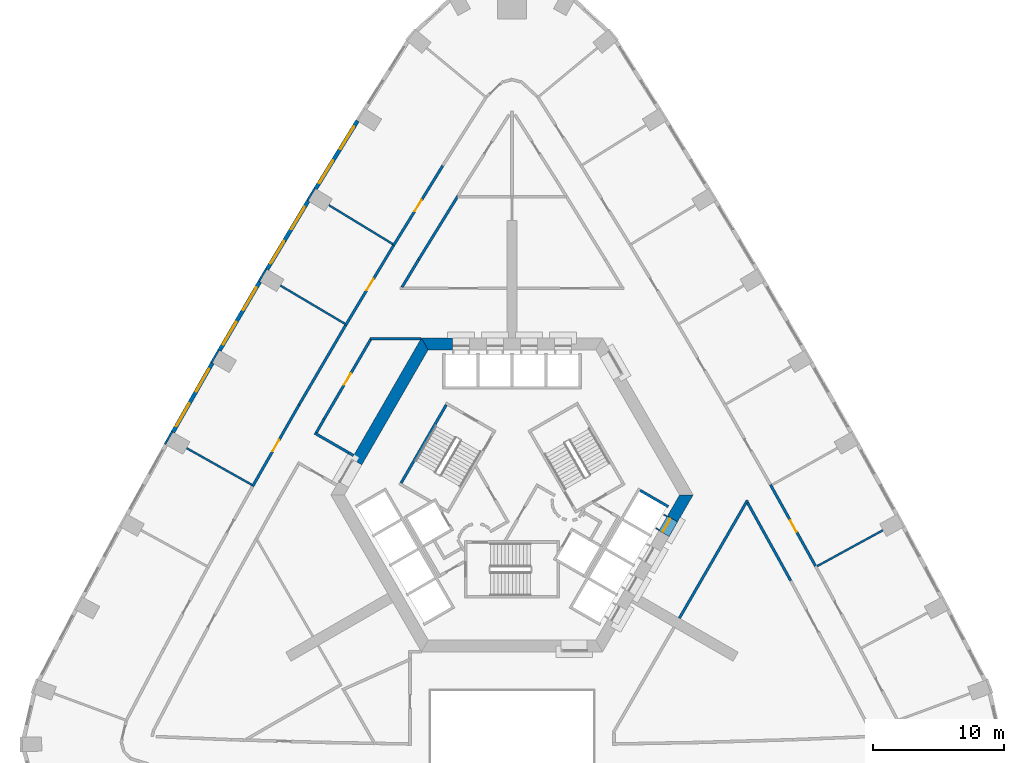
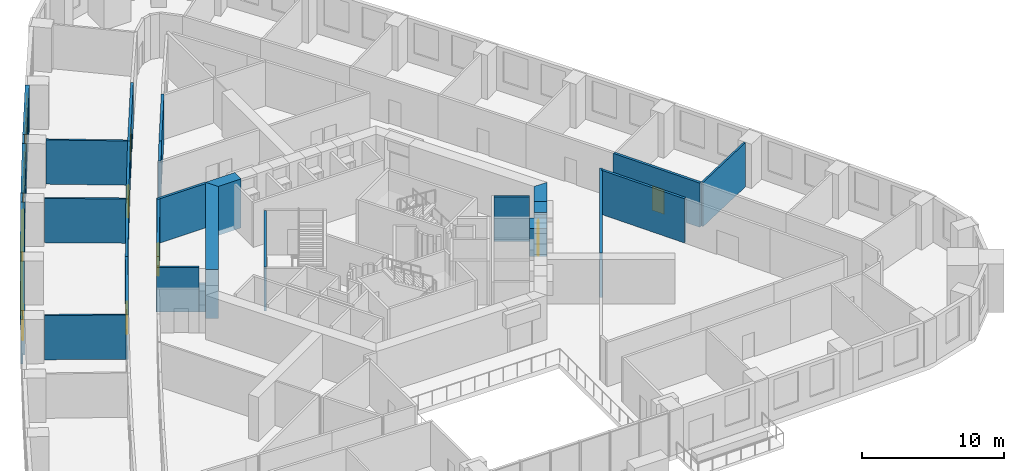
# One storey, part 8 of 13: 33 walls, 8 windows, 6 doors, 14 openings.
"""IFC4 building model written with IfcOpenShell, lengths in metres."""

from ifc_helpers import new_model, si_unit, direction, frame, frame_2d, origin, place, context, subcontext, project, spatial, polyline, rectangle, outline, extrude, material, layer, layer_set, type_object, element, fill, save


model = new_model("IFC4")

# Units and contexts
model_context = context("Model", 3, precision=1e-05, world=origin(), true_north=direction((0.0, 1.0)))
body_context = subcontext(model_context, "Body", "Model", "MODEL_VIEW")
ifc_project = project(units=[si_unit("LENGTHUNIT", "METRE"), si_unit("AREAUNIT", "SQUARE_METRE"), si_unit("VOLUMEUNIT", "CUBIC_METRE"), si_unit("PLANEANGLEUNIT", "RADIAN"), si_unit("MASSUNIT", "GRAM", prefix="KILO")], contexts=[model_context])

# Site, building, storey
site_placement = place(None, origin())
site = spatial("IfcSite", under=ifc_project, at=site_placement, CompositionType="ELEMENT")
building_placement = place(site_placement, origin())
building = spatial("IfcBuilding", under=site, at=building_placement, Name="Entoto Arch Interchange Tower", CompositionType="ELEMENT")
storey_placement = place(building_placement, frame((0.0, 0.0, 90.800048828125)))
storey = spatial("IfcBuildingStorey", under=building, at=storey_placement, Name="L19", CompositionType="ELEMENT", Elevation=90.800048828125)

# Walls
ifc_material_1 = material(Name="Concrete C60/75", Category="concrete")
ifc_layer_1 = layer(ifc_material_1, 0.89990234375)
ifc_layer_set_1 = layer_set([ifc_layer_1], Name="Concrete C60/75")
wall_type_1 = type_object("IfcWallType", Name="Core wall 900 C60/75", PredefinedType="SHEAR", material=ifc_layer_set_1)
wall_1_placement = place(storey_placement, frame((0.0, 0.0, -0.400146484375)))
element("IfcWall", 1, at=wall_1_placement, inside=storey, type_object=wall_type_1, Name="Core wall N L19", PredefinedType="SHEAR", context=body_context, shape_type="SweptSolid", body=[
    extrude(outline(polyline([(-4.550048828125, 13.60009765625), (-4.550048828125, 14.5), (-6.927978515625, 14.5), (-6.408935546875, 13.60009765625), (-4.550048828125, 13.60009765625)])), origin(), (0.0, 0.0, 1.0), 4.2001953125),
])
wall_2_placement = place(storey_placement, frame((0.0, 0.0, -0.400146484375)))
element("IfcWall", 2, at=wall_2_placement, inside=storey, type_object=wall_type_1, Name="Core wall NW L19", PredefinedType="SHEAR", context=body_context, shape_type="SweptSolid", body=[
    extrude(outline(polyline([(-12.26708984375, 5.251953125), (-11.488037109375, 4.802001953125), (-6.408935546875, 13.60009765625), (-6.927978515625, 14.5), (-12.26708984375, 5.251953125)])), origin(), (0.0, 0.0, 1.0), 4.2001953125),
])
wall_3_placement = place(storey_placement, frame((0.0, 0.0, -0.400146484375)))
element("IfcWall", 3, at=wall_3_placement, inside=storey, type_object=wall_type_1, Name="Core wall SE L19", PredefinedType="SHEAR", context=body_context, shape_type="SweptSolid", body=[
    extrude(outline(polyline([(11.887939453125, 0.889892578125), (12.6669921875, 0.43994140625), (13.85595703125, 2.5), (12.81689453125, 2.5), (11.887939453125, 0.889892578125)])), origin(), (0.0, 0.0, 1.0), 4.2001953125),
])
wall_4_placement = place(storey_placement, frame((0.0, 0.0, 3.599853515625)))
element("IfcWall", 4, at=wall_4_placement, inside=storey, type_object=wall_type_1, Name="Core wall lintel SE L19", PredefinedType="SHEAR", context=body_context, shape_type="SweptSolid", body=[
    extrude(outline(polyline([(12.6669921875, 0.43994140625), (11.887939453125, 0.889892578125), (11.238037109375, -0.236083984375), (12.01708984375, -0.68603515625), (12.6669921875, 0.43994140625)])), origin(), (0.0, 0.0, 1.0), 0.2001953125),
])

# Wall, opening, door
ifc_material_2 = material(Name="Concrete C40/50", Category="concrete")
ifc_layer_2 = layer(ifc_material_2, 1.199951171875)
ifc_layer_set_2 = layer_set([ifc_layer_2], Name="Concrete C40/50")
wall_type_2 = type_object("IfcWallType", Name="LIFT LANDING INFILL WALL", PredefinedType="STANDARD", material=ifc_layer_set_2)
wall_5_placement = place(storey_placement, frame((11.498046875, -0.385009765625, 0.0), z_axis=(0.0, 0.0, 1.0), x_axis=(0.500221244143, 0.865897630733, 0.0)))
wall_5 = element("IfcWall", 5, at=wall_5_placement, inside=storey, type_object=wall_type_2, Name="Lift landing infill wall LR8 L19", PredefinedType="STANDARD", context=body_context, shape_type="SweptSolid", body=[
    extrude(rectangle(XDim=1.29931640625, YDim=1.199951171875, at=frame_2d((0.649658203125, 0.0))), origin(), (0.0, 0.0, 1.0), 2.39990234375),
])
opening_1_placement = place(wall_5_placement, frame((0.10009765625, 0.0, 0.0)))
opening_1 = element("IfcOpeningElement", 6, at=opening_1_placement, cuts=wall_5, Name="Opening LD-LR8-L19", PredefinedType="OPENING", context=body_context, shape_type="SweptSolid", body=[
    extrude(rectangle(XDim=1.10009765625, YDim=2.300048828125, at=frame_2d((0.550048828125, 1.14990234375))), frame((0.0, 0.60986328125, 0.0), z_axis=(0.0, -1.0, 0.0), x_axis=(1.0, 0.0, 0.0)), (0.0, 0.0, 1.0), 1.219970703125),
])
ifc_material_3 = material(Name="Stainless steel 1.4301 panels", Category="steel")
door_type_1 = type_object("IfcDoorType", Name="LIFT LANDING DOOR LD2 1100x2300", OperationType="SLIDING_TO_LEFT", PredefinedType="DOOR", material=ifc_material_3)
door_1_placement = place(opening_1_placement, origin())
door_1 = element("IfcDoor", 7, at=door_1_placement, inside=storey, type_object=door_type_1, Name="Lift landing door LR8 L19", OperationType="SLIDING_TO_LEFT", OverallHeight=2.300048828125, OverallWidth=1.10009765625, PredefinedType="DOOR", context=body_context, shape_type="SweptSolid", body=[
    extrude(rectangle(XDim=1.10009765625, YDim=2.300048828125, at=frame_2d((0.550048828125, 1.14990234375))), frame((0.0, 0.02490234375, 0.0), z_axis=(0.0, -1.0, 0.0), x_axis=(1.0, 0.0, 0.0)), (0.0, 0.0, 1.0), 0.050048828125),
])
fill(opening_1, door_1)

# Walls
ifc_layer_3 = layer(ifc_material_2, 0.199951171875)
ifc_layer_set_3 = layer_set([ifc_layer_3], Name="Concrete C40/50")
wall_type_3 = type_object("IfcWallType", Name="LIFT SHAFT WALL 200", PredefinedType="STANDARD", material=ifc_layer_set_3)
wall_6_placement = place(storey_placement, frame((9.7880859375, 2.85302734375, 0.0), z_axis=(0.0, 0.0, 1.0), x_axis=(0.865998541277, -0.500046524342, 0.0)))
element("IfcWall", 8, at=wall_6_placement, inside=storey, type_object=wall_type_3, Name="Shaft wall SE3 cross 5", PredefinedType="STANDARD", context=body_context, shape_type="SweptSolid", body=[
    extrude(rectangle(XDim=2.499755859375, YDim=0.199951171875, at=frame_2d((1.25, 0.0))), origin(), (0.0, 0.0, 1.0), 3.800048828125),
])
ifc_material_4 = material(Name="Gypsum board partition on steel studs", Category="steel")
ifc_layer_4 = layer(ifc_material_4, 0.14990234375)
ifc_layer_set_4 = layer_set([ifc_layer_4], Name="Gypsum board partition on steel studs")
wall_type_4 = type_object("IfcWallType", Name="PARTITION 150", PredefinedType="PARTITIONING", material=ifc_layer_set_4)
wall_7_placement = place(storey_placement, frame((23.3359375, -2.949951171875, 0.0), z_axis=(0.0, 0.0, 1.0), x_axis=(0.877455496162, 0.479658057637, 0.0)))
element("IfcWall", 9, at=wall_7_placement, inside=storey, type_object=wall_type_4, Name="wall:L19:p116", PredefinedType="PARTITIONING", context=body_context, shape_type="SweptSolid", body=[
    extrude(rectangle(XDim=5.729248046875, YDim=0.14990234375, at=frame_2d((2.86474609375, 0.0))), origin(), (0.0, 0.0, 1.0), 3.800048828125),
])
wall_8_placement = place(storey_placement, frame((-9.113037109375, 21.68408203125, 0.0), z_axis=(0.0, 0.0, 1.0), x_axis=(-0.854075097122, 0.520149717367, 0.0)))
element("IfcWall", 10, at=wall_8_placement, inside=storey, type_object=wall_type_4, Name="wall:L19:p124", PredefinedType="PARTITIONING", context=body_context, shape_type="SweptSolid", body=[
    extrude(rectangle(XDim=5.72900390625, YDim=0.14990234375, at=frame_2d((2.864501953125, 0.0))), origin(), (0.0, 0.0, 1.0), 3.800048828125),
])
wall_9_placement = place(storey_placement, frame((-12.77587890625, 15.589111328125, 0.0), z_axis=(0.0, 0.0, 1.0), x_axis=(-0.860225086153, 0.509914503768, 0.0)))
element("IfcWall", 11, at=wall_9_placement, inside=storey, type_object=wall_type_4, Name="wall:L19:p125", PredefinedType="PARTITIONING", context=body_context, shape_type="SweptSolid", body=[
    extrude(rectangle(XDim=5.730224609375, YDim=0.14990234375, at=frame_2d((2.865234375, 0.0))), origin(), (0.0, 0.0, 1.0), 3.800048828125),
])
wall_10_placement = place(storey_placement, frame((-19.887939453125, 3.27001953125, 0.0), z_axis=(0.0, 0.0, 1.0), x_axis=(-0.871789386467, 0.489880868828, 0.0)))
element("IfcWall", 12, at=wall_10_placement, inside=storey, type_object=wall_type_4, Name="wall:L19:p126", PredefinedType="PARTITIONING", context=body_context, shape_type="SweptSolid", body=[
    extrude(rectangle(XDim=5.729736328125, YDim=0.14990234375, at=frame_2d((2.86474609375, 0.0))), origin(), (0.0, 0.0, 1.0), 3.800048828125),
])
ifc_layer_5 = layer(ifc_material_4, 0.199951171875)
ifc_layer_set_5 = layer_set([ifc_layer_5], Name="Gypsum board partition on steel studs")
wall_type_5 = type_object("IfcWallType", Name="PARTITION 200", PredefinedType="PARTITIONING", material=ifc_layer_set_5)
wall_11_placement = place(storey_placement, frame((-4.1259765625, 25.385009765625, 0.0), z_axis=(0.0, 0.0, 1.0), x_axis=(-0.525162244663, -0.851002125016, 0.0)))
element("IfcWall", 13, at=wall_11_placement, inside=storey, type_object=wall_type_5, Name="wall:L19:p003", PredefinedType="PARTITIONING", context=body_context, shape_type="SweptSolid", body=[
    extrude(rectangle(XDim=5.75439453125, YDim=0.199951171875, at=frame_2d((2.877197265625, 0.0))), origin(), (0.0, 0.0, 1.0), 3.800048828125),
])
wall_12_placement = place(storey_placement, frame((-7.14794921875, 20.488037109375, 0.0), z_axis=(0.0, 0.0, 1.0), x_axis=(-0.515008089027, -0.857185317325, 0.0)))
element("IfcWall", 14, at=wall_12_placement, inside=storey, type_object=wall_type_5, Name="wall:L19:p004", PredefinedType="PARTITIONING", context=body_context, shape_type="SweptSolid", body=[
    extrude(rectangle(XDim=2.452392578125, YDim=0.199951171875, at=frame_2d((1.22607421875, 0.0))), origin(), (0.0, 0.0, 1.0), 3.800048828125),
])

# Wall, opening, door
wall_13_placement = place(storey_placement, frame((-10.797119140625, 14.4150390625, 0.0), z_axis=(0.0, 0.0, 1.0), x_axis=(-0.505008297342, -0.863114488128, 0.0)))
wall_13 = element("IfcWall", 15, at=wall_13_placement, inside=storey, type_object=wall_type_5, Name="wall:L19:p005", PredefinedType="PARTITIONING", context=body_context, shape_type="SweptSolid", body=[
    extrude(rectangle(XDim=7.084716796875, YDim=0.199951171875, at=frame_2d((3.54248046875, 0.0))), origin(), (0.0, 0.0, 1.0), 3.800048828125),
])
opening_2_placement = place(wall_13_placement, frame((3.04296875, 0.0, 0.0)))
opening_2 = element("IfcOpeningElement", 16, at=opening_2_placement, cuts=wall_13, Name="Opening L19-D36", PredefinedType="OPENING", context=body_context, shape_type="SweptSolid", body=[
    extrude(rectangle(XDim=1.0, YDim=2.10009765625, at=frame_2d((0.5, 1.050048828125))), frame((0.0, 0.10986328125, 0.0), z_axis=(0.0, -1.0, 0.0), x_axis=(1.0, 0.0, 0.0)), (0.0, 0.0, 1.0), 0.219970703125),
])
ifc_material_5 = material(Name="Timber door leaf in Steel S235 frame", Category="steel")
door_type_2 = type_object("IfcDoorType", Name="DOOR DS-10 1000x2100", OperationType="SINGLE_SWING_LEFT", PredefinedType="DOOR", material=ifc_material_5)
door_2_placement = place(opening_2_placement, origin())
door_2 = element("IfcDoor", 17, at=door_2_placement, inside=storey, type_object=door_type_2, Name="door:L19:36", OperationType="SINGLE_SWING_LEFT", OverallHeight=2.10009765625, OverallWidth=1.0, PredefinedType="DOOR", context=body_context, shape_type="SweptSolid", body=[
    extrude(rectangle(XDim=1.0, YDim=2.10009765625, at=frame_2d((0.5, 1.050048828125))), frame((0.0, 0.02490234375, 0.0), z_axis=(0.0, -1.0, 0.0), x_axis=(1.0, 0.0, 0.0)), (0.0, 0.0, 1.0), 0.050048828125),
])
fill(opening_2, door_2)

# Walls
wall_14_placement = place(storey_placement, frame((-14.375, 8.300048828125, 0.0), z_axis=(0.0, 0.0, 1.0), x_axis=(-0.495074026382, -0.868850797549, 0.0)))
element("IfcWall", 18, at=wall_14_placement, inside=storey, type_object=wall_type_5, Name="wall:L19:p006", PredefinedType="PARTITIONING", context=body_context, shape_type="SweptSolid", body=[
    extrude(rectangle(XDim=1.185546875, YDim=0.199951171875, at=frame_2d((0.5927734375, 0.0))), origin(), (0.0, 0.0, 1.0), 3.800048828125),
])
wall_15_placement = place(storey_placement, frame((-15.097900390625, 7.23291015625, 0.0), z_axis=(0.0, 0.0, 1.0), x_axis=(0.866101363304, -0.499868411168, 0.0)))
element("IfcWall", 19, at=wall_15_placement, inside=storey, type_object=wall_type_5, Name="wall:L19:p007", PredefinedType="PARTITIONING", context=body_context, shape_type="SweptSolid", body=[
    extrude(rectangle(XDim=2.992431640625, YDim=0.199951171875, at=frame_2d((1.49609375, 0.0))), origin(), (0.0, 0.0, 1.0), 3.800048828125),
])
wall_16_placement = place(storey_placement, frame((21.31689453125, -4.052978515625, 0.0), z_axis=(0.0, 0.0, 1.0), x_axis=(-0.484816829319, 0.874615711046, 0.0)))
element("IfcWall", 20, at=wall_16_placement, inside=storey, type_object=wall_type_5, Name="wall:L19:p018", PredefinedType="PARTITIONING", context=body_context, shape_type="SweptSolid", body=[
    extrude(rectangle(XDim=6.826904296875, YDim=0.199951171875, at=frame_2d((3.41357421875, 0.0))), origin(), (0.0, 0.0, 1.0), 3.800048828125),
])

# Wall, opening, door
wall_17_placement = place(storey_placement, frame((19.763916015625, 3.285888671875, 0.0), z_axis=(0.0, 0.0, 1.0), x_axis=(0.484858403734, -0.874592664232, 0.0)))
wall_17 = element("IfcWall", 21, at=wall_17_placement, inside=storey, type_object=wall_type_5, Name="wall:L19:p041", PredefinedType="PARTITIONING", context=body_context, shape_type="SweptSolid", body=[
    extrude(rectangle(XDim=7.109375, YDim=0.199951171875, at=frame_2d((3.5546875, 0.0))), origin(), (0.0, 0.0, 1.0), 3.800048828125),
])
opening_3_placement = place(wall_17_placement, frame((3.1298828125, 0.0, 0.0)))
opening_3 = element("IfcOpeningElement", 22, at=opening_3_placement, cuts=wall_17, Name="Opening L19-D07", PredefinedType="OPENING", context=body_context, shape_type="SweptSolid", body=[
    extrude(rectangle(XDim=1.0, YDim=2.10009765625, at=frame_2d((0.5, 1.050048828125))), frame((0.0, 0.10986328125, 0.0), z_axis=(0.0, -1.0, 0.0), x_axis=(1.0, 0.0, 0.0)), (0.0, 0.0, 1.0), 0.219970703125),
])
door_3_placement = place(opening_3_placement, origin())
door_3 = element("IfcDoor", 23, at=door_3_placement, inside=storey, type_object=door_type_2, Name="door:L19:07", OperationType="SINGLE_SWING_LEFT", OverallHeight=2.10009765625, OverallWidth=1.0, PredefinedType="DOOR", context=body_context, shape_type="SweptSolid", body=[
    extrude(rectangle(XDim=1.0, YDim=2.10009765625, at=frame_2d((0.5, 1.050048828125))), frame((0.0, 0.02490234375, 0.0), z_axis=(0.0, -1.0, 0.0), x_axis=(1.0, 0.0, 0.0)), (0.0, 0.0, 1.0), 0.050048828125),
])
fill(opening_3, door_3)

wall_18_placement = place(storey_placement, frame((-9.06689453125, 21.568115234375, 0.0), z_axis=(0.0, 0.0, 1.0), x_axis=(0.525131931126, 0.851020831068, 0.0)))
wall_18 = element("IfcWall", 24, at=wall_18_placement, inside=storey, type_object=wall_type_5, Name="wall:L19:p051", PredefinedType="PARTITIONING", context=body_context, shape_type="SweptSolid", body=[
    extrude(rectangle(XDim=7.1865234375, YDim=0.199951171875, at=frame_2d((3.59326171875, 0.0))), origin(), (0.0, 0.0, 1.0), 3.800048828125),
])
opening_4_placement = place(wall_18_placement, frame((3.093017578125, 0.0, 0.0)))
opening_4 = element("IfcOpeningElement", 25, at=opening_4_placement, cuts=wall_18, Name="Opening L19-D14", PredefinedType="OPENING", context=body_context, shape_type="SweptSolid", body=[
    extrude(rectangle(XDim=1.0, YDim=2.10009765625, at=frame_2d((0.5, 1.050048828125))), frame((0.0, 0.10986328125, 0.0), z_axis=(0.0, -1.0, 0.0), x_axis=(1.0, 0.0, 0.0)), (0.0, 0.0, 1.0), 0.219970703125),
])
door_4_placement = place(opening_4_placement, origin())
door_4 = element("IfcDoor", 26, at=door_4_placement, inside=storey, type_object=door_type_2, Name="door:L19:14", OperationType="SINGLE_SWING_RIGHT", OverallHeight=2.10009765625, OverallWidth=1.0, PredefinedType="DOOR", context=body_context, shape_type="SweptSolid", body=[
    extrude(rectangle(XDim=1.0, YDim=2.10009765625, at=frame_2d((0.5, 1.050048828125))), frame((0.0, 0.02490234375, 0.0), z_axis=(0.0, -1.0, 0.0), x_axis=(1.0, 0.0, 0.0)), (0.0, 0.0, 1.0), 0.050048828125),
])
fill(opening_4, door_4)

wall_19_placement = place(storey_placement, frame((-12.72802734375, 15.472900390625, 0.0), z_axis=(0.0, 0.0, 1.0), x_axis=(0.515010673306, 0.857183764651, 0.0)))
wall_19 = element("IfcWall", 27, at=wall_19_placement, inside=storey, type_object=wall_type_5, Name="wall:L19:p053", PredefinedType="PARTITIONING", context=body_context, shape_type="SweptSolid", body=[
    extrude(rectangle(XDim=7.11083984375, YDim=0.199951171875, at=frame_2d((3.555419921875, 0.0))), origin(), (0.0, 0.0, 1.0), 3.800048828125),
])
opening_5_placement = place(wall_19_placement, frame((3.1298828125, 0.0, 0.0)))
opening_5 = element("IfcOpeningElement", 28, at=opening_5_placement, cuts=wall_19, Name="Opening L19-D15", PredefinedType="OPENING", context=body_context, shape_type="SweptSolid", body=[
    extrude(rectangle(XDim=1.0, YDim=2.10009765625, at=frame_2d((0.5, 1.050048828125))), frame((0.0, 0.10986328125, 0.0), z_axis=(0.0, -1.0, 0.0), x_axis=(1.0, 0.0, 0.0)), (0.0, 0.0, 1.0), 0.219970703125),
])
door_5_placement = place(opening_5_placement, origin())
door_5 = element("IfcDoor", 29, at=door_5_placement, inside=storey, type_object=door_type_2, Name="door:L19:15", OperationType="SINGLE_SWING_LEFT", OverallHeight=2.10009765625, OverallWidth=1.0, PredefinedType="DOOR", context=body_context, shape_type="SweptSolid", body=[
    extrude(rectangle(XDim=1.0, YDim=2.10009765625, at=frame_2d((0.5, 1.050048828125))), frame((0.0, 0.02490234375, 0.0), z_axis=(0.0, -1.0, 0.0), x_axis=(1.0, 0.0, 0.0)), (0.0, 0.0, 1.0), 0.050048828125),
])
fill(opening_5, door_5)

wall_20_placement = place(storey_placement, frame((-19.837890625, 3.156005859375, 0.0), z_axis=(0.0, 0.0, 1.0), x_axis=(0.494978648769, 0.868905137091, 0.0)))
wall_20 = element("IfcWall", 30, at=wall_20_placement, inside=storey, type_object=wall_type_5, Name="wall:L19:p054", PredefinedType="PARTITIONING", context=body_context, shape_type="SweptSolid", body=[
    extrude(rectangle(XDim=7.18603515625, YDim=0.199951171875, at=frame_2d((3.593017578125, 0.0))), origin(), (0.0, 0.0, 1.0), 3.800048828125),
])
opening_6_placement = place(wall_20_placement, frame((3.093017578125, 0.0, 0.0)))
opening_6 = element("IfcOpeningElement", 31, at=opening_6_placement, cuts=wall_20, Name="Opening L19-D16", PredefinedType="OPENING", context=body_context, shape_type="SweptSolid", body=[
    extrude(rectangle(XDim=1.0, YDim=2.10009765625, at=frame_2d((0.5, 1.050048828125))), frame((0.0, 0.10986328125, 0.0), z_axis=(0.0, -1.0, 0.0), x_axis=(1.0, 0.0, 0.0)), (0.0, 0.0, 1.0), 0.219970703125),
])
door_6_placement = place(opening_6_placement, origin())
door_6 = element("IfcDoor", 32, at=door_6_placement, inside=storey, type_object=door_type_2, Name="door:L19:16", OperationType="SINGLE_SWING_LEFT", OverallHeight=2.10009765625, OverallWidth=1.0, PredefinedType="DOOR", context=body_context, shape_type="SweptSolid", body=[
    extrude(rectangle(XDim=1.0, YDim=2.10009765625, at=frame_2d((0.5, 1.050048828125))), frame((0.0, 0.02490234375, 0.0), z_axis=(0.0, -1.0, 0.0), x_axis=(1.0, 0.0, 0.0)), (0.0, 0.0, 1.0), 0.050048828125),
])
fill(opening_6, door_6)

# Walls
wall_21_placement = place(storey_placement, frame((-16.281005859375, 9.39990234375, 0.0), z_axis=(0.0, 0.0, 1.0), x_axis=(0.504973069247, 0.863135099121, 0.0)))
element("IfcWall", 33, at=wall_21_placement, inside=storey, type_object=wall_type_5, Name="wall:L19:p055", PredefinedType="PARTITIONING", context=body_context, shape_type="SweptSolid", body=[
    extrude(rectangle(XDim=7.035888671875, YDim=0.199951171875, at=frame_2d((3.51806640625, 0.0))), origin(), (0.0, 0.0, 1.0), 3.800048828125),
])
wall_22_placement = place(storey_placement, frame((-6.95703125, 14.449951171875, 0.0), z_axis=(0.0, 0.0, 1.0), x_axis=(-1.0, 0.0, 0.0)))
element("IfcWall", 34, at=wall_22_placement, inside=storey, type_object=wall_type_5, Name="wall:L19:p101", PredefinedType="PARTITIONING", context=body_context, shape_type="SweptSolid", body=[
    extrude(rectangle(XDim=3.919921875, YDim=0.199951171875, at=frame_2d((1.9599609375, 0.0))), origin(), (0.0, 0.0, 1.0), 3.800048828125),
])
wall_23_placement = place(storey_placement, frame((18.009033203125, 2.092041015625, 0.0), z_axis=(0.0, 0.0, 1.0), x_axis=(-0.499980796252, -0.866036490789, 0.0)))
element("IfcWall", 35, at=wall_23_placement, inside=storey, type_object=wall_type_5, Name="wall:L19:p102", PredefinedType="PARTITIONING", context=body_context, shape_type="SweptSolid", body=[
    extrude(rectangle(XDim=10.41650390625, YDim=0.199951171875, at=frame_2d((5.208251953125, 0.0))), origin(), (0.0, 0.0, 1.0), 3.800048828125),
])
wall_24_placement = place(storey_placement, frame((-12.506103515625, 5.737060546875, 0.0), z_axis=(0.0, 0.0, 1.0), x_axis=(0.865624510465, -0.500693725627, 0.0)))
element("IfcWall", 36, at=wall_24_placement, inside=storey, type_object=wall_type_5, Name="wall:L19:p007", PredefinedType="PARTITIONING", context=body_context, shape_type="SweptSolid", body=[
    extrude(rectangle(XDim=0.449462890625, YDim=0.199951171875, at=frame_2d((0.224609375, 0.0))), origin(), (0.0, 0.0, 1.0), 2.39990234375),
])
ifc_layer_6 = layer(ifc_material_2, 0.199951171875)
ifc_layer_set_6 = layer_set([ifc_layer_6], Name="Concrete C40/50")
wall_type_6 = type_object("IfcWallType", Name="STAIR ENCLOSURE WALL 200", PredefinedType="STANDARD", material=ifc_layer_set_6)
wall_25_placement = place(storey_placement, frame((-5.030029296875, 9.387939453125, 0.0), z_axis=(0.0, 0.0, 1.0), x_axis=(-0.499978703459, -0.866037698999, 0.0)))
element("IfcWall", 37, at=wall_25_placement, inside=storey, type_object=wall_type_6, Name="Stair wall ST-NW back", PredefinedType="STANDARD", context=body_context, shape_type="SweptSolid", body=[
    extrude(rectangle(XDim=6.900146484375, YDim=0.199951171875, at=frame_2d((3.4501953125, 0.0))), origin(), (0.0, 0.0, 1.0), 3.800048828125),
])

# Wall, openings, windows
ifc_material_6 = material(Name="Welded tuff (ignimbrite) cladding, warm buff", Category="masonry")
ifc_layer_7 = layer(ifc_material_6, 0.300048828125)
ifc_layer_set_7 = layer_set([ifc_layer_7], Name="Welded tuff (ignimbrite) cladding, warm buff")
wall_type_7 = type_object("IfcWallType", Name="STONE INFILL WALL 300", PredefinedType="STANDARD", material=ifc_layer_set_7)
wall_26_placement = place(storey_placement, frame((-11.81396484375, 31.112060546875, 0.0), z_axis=(0.0, 0.0, 1.0), x_axis=(-0.525204788886, -0.850975869065, 0.0)))
wall_26 = element("IfcWall", 38, at=wall_26_placement, inside=storey, type_object=wall_type_7, Name="Facade wall NW-02 L19", PredefinedType="STANDARD", context=body_context, shape_type="SweptSolid", body=[
    extrude(rectangle(XDim=6.098876953125, YDim=0.300048828125, at=frame_2d((3.04931640625, 0.0))), origin(), (0.0, 0.0, 1.0), 3.800048828125),
])
opening_7_placement = place(wall_26_placement, frame((0.52490234375, 0.0, 0.89990234375)))
opening_7 = element("IfcOpeningElement", 39, at=opening_7_placement, cuts=wall_26, Name="Opening WO-C", PredefinedType="OPENING", context=body_context, shape_type="SweptSolid", body=[
    extrude(rectangle(XDim=2.0, YDim=2.60009765625, at=frame_2d((1.0, 1.300048828125))), frame((0.0, 0.16015625, 0.0), z_axis=(0.0, -1.0, 0.0), x_axis=(1.0, 0.0, 0.0)), (0.0, 0.0, 1.0), 0.320068359375),
])
opening_8_placement = place(wall_26_placement, frame((3.573974609375, 0.0, 0.89990234375)))
opening_8 = element("IfcOpeningElement", 40, at=opening_8_placement, cuts=wall_26, Name="Opening WO-C", PredefinedType="OPENING", context=body_context, shape_type="SweptSolid", body=[
    extrude(rectangle(XDim=2.0, YDim=2.60009765625, at=frame_2d((1.0, 1.300048828125))), frame((0.0, 0.16015625, 0.0), z_axis=(0.0, -1.0, 0.0), x_axis=(1.0, 0.0, 0.0)), (0.0, 0.0, 1.0), 0.320068359375),
])
ifc_material_7 = material(Name="Clear glass, low-e double glazed", Category="glass")
window_type = type_object("IfcWindowType", Name="WINDOW WO-C 2000x2600", PartitioningType="DOUBLE_PANEL_VERTICAL", PredefinedType="WINDOW", material=ifc_material_7)
window_1_placement = place(opening_7_placement, origin())
window_1 = element("IfcWindow", 41, at=window_1_placement, inside=storey, type_object=window_type, Name="Window WO-C NW-02 L19", OverallHeight=2.60009765625, OverallWidth=2.0, PartitioningType="SINGLE_PANEL", PredefinedType="WINDOW", context=body_context, shape_type="SweptSolid", body=[
    extrude(rectangle(XDim=2.0, YDim=2.60009765625, at=frame_2d((1.0, 1.300048828125))), frame((0.0, 0.030029296875, 0.0), z_axis=(0.0, -1.0, 0.0), x_axis=(1.0, 0.0, 0.0)), (0.0, 0.0, 1.0), 0.06005859375),
])
fill(opening_7, window_1)
window_2_placement = place(opening_8_placement, origin())
window_2 = element("IfcWindow", 42, at=window_2_placement, inside=storey, type_object=window_type, Name="Window WO-C NW-02 L19", OverallHeight=2.60009765625, OverallWidth=2.0, PartitioningType="SINGLE_PANEL", PredefinedType="WINDOW", context=body_context, shape_type="SweptSolid", body=[
    extrude(rectangle(XDim=2.0, YDim=2.60009765625, at=frame_2d((1.0, 1.300048828125))), frame((0.0, 0.030029296875, 0.0), z_axis=(0.0, -1.0, 0.0), x_axis=(1.0, 0.0, 0.0)), (0.0, 0.0, 1.0), 0.06005859375),
])
fill(opening_8, window_2)

wall_27_placement = place(storey_placement, frame((-15.587890625, 24.98388671875, 0.0), z_axis=(0.0, 0.0, 1.0), x_axis=(-0.515102053092, -0.857128855483, 0.0)))
wall_27 = element("IfcWall", 43, at=wall_27_placement, inside=storey, type_object=wall_type_7, Name="Facade wall NW-03 L19", PredefinedType="STANDARD", context=body_context, shape_type="SweptSolid", body=[
    extrude(rectangle(XDim=6.09814453125, YDim=0.300048828125, at=frame_2d((3.049072265625, 0.0))), origin(), (0.0, 0.0, 1.0), 3.800048828125),
])
opening_9_placement = place(wall_27_placement, frame((0.52490234375, 0.0, 0.89990234375)))
opening_9 = element("IfcOpeningElement", 44, at=opening_9_placement, cuts=wall_27, Name="Opening WO-C", PredefinedType="OPENING", context=body_context, shape_type="SweptSolid", body=[
    extrude(rectangle(XDim=2.0, YDim=2.60009765625, at=frame_2d((1.0, 1.300048828125))), frame((0.0, 0.16015625, 0.0), z_axis=(0.0, -1.0, 0.0), x_axis=(1.0, 0.0, 0.0)), (0.0, 0.0, 1.0), 0.320068359375),
])
opening_10_placement = place(wall_27_placement, frame((3.573974609375, 0.0, 0.89990234375)))
opening_10 = element("IfcOpeningElement", 45, at=opening_10_placement, cuts=wall_27, Name="Opening WO-C", PredefinedType="OPENING", context=body_context, shape_type="SweptSolid", body=[
    extrude(rectangle(XDim=2.0, YDim=2.60009765625, at=frame_2d((1.0, 1.300048828125))), frame((0.0, 0.16015625, 0.0), z_axis=(0.0, -1.0, 0.0), x_axis=(1.0, 0.0, 0.0)), (0.0, 0.0, 1.0), 0.320068359375),
])
window_3_placement = place(opening_9_placement, origin())
window_3 = element("IfcWindow", 46, at=window_3_placement, inside=storey, type_object=window_type, Name="Window WO-C NW-03 L19", OverallHeight=2.60009765625, OverallWidth=2.0, PartitioningType="SINGLE_PANEL", PredefinedType="WINDOW", context=body_context, shape_type="SweptSolid", body=[
    extrude(rectangle(XDim=2.0, YDim=2.60009765625, at=frame_2d((1.0, 1.300048828125))), frame((0.0, 0.030029296875, 0.0), z_axis=(0.0, -1.0, 0.0), x_axis=(1.0, 0.0, 0.0)), (0.0, 0.0, 1.0), 0.06005859375),
])
fill(opening_9, window_3)
window_4_placement = place(opening_10_placement, origin())
window_4 = element("IfcWindow", 47, at=window_4_placement, inside=storey, type_object=window_type, Name="Window WO-C NW-03 L19", OverallHeight=2.60009765625, OverallWidth=2.0, PartitioningType="SINGLE_PANEL", PredefinedType="WINDOW", context=body_context, shape_type="SweptSolid", body=[
    extrude(rectangle(XDim=2.0, YDim=2.60009765625, at=frame_2d((1.0, 1.300048828125))), frame((0.0, 0.030029296875, 0.0), z_axis=(0.0, -1.0, 0.0), x_axis=(1.0, 0.0, 0.0)), (0.0, 0.0, 1.0), 0.06005859375),
])
fill(opening_10, window_4)

wall_28_placement = place(storey_placement, frame((-19.2890625, 18.81298828125, 0.0), z_axis=(0.0, 0.0, 1.0), x_axis=(-0.504998117261, -0.863120444413, 0.0)))
wall_28 = element("IfcWall", 48, at=wall_28_placement, inside=storey, type_object=wall_type_7, Name="Facade wall NW-04 L19", PredefinedType="STANDARD", context=body_context, shape_type="SweptSolid", body=[
    extrude(rectangle(XDim=6.0986328125, YDim=0.300048828125, at=frame_2d((3.04931640625, 0.0))), origin(), (0.0, 0.0, 1.0), 3.800048828125),
])
opening_11_placement = place(wall_28_placement, frame((0.52490234375, 0.0, 0.89990234375)))
opening_11 = element("IfcOpeningElement", 49, at=opening_11_placement, cuts=wall_28, Name="Opening WO-C", PredefinedType="OPENING", context=body_context, shape_type="SweptSolid", body=[
    extrude(rectangle(XDim=2.0, YDim=2.60009765625, at=frame_2d((1.0, 1.300048828125))), frame((0.0, 0.16015625, 0.0), z_axis=(0.0, -1.0, 0.0), x_axis=(1.0, 0.0, 0.0)), (0.0, 0.0, 1.0), 0.320068359375),
])
opening_12_placement = place(wall_28_placement, frame((3.573974609375, 0.0, 0.89990234375)))
opening_12 = element("IfcOpeningElement", 50, at=opening_12_placement, cuts=wall_28, Name="Opening WO-C", PredefinedType="OPENING", context=body_context, shape_type="SweptSolid", body=[
    extrude(rectangle(XDim=2.0, YDim=2.60009765625, at=frame_2d((1.0, 1.300048828125))), frame((0.0, 0.16015625, 0.0), z_axis=(0.0, -1.0, 0.0), x_axis=(1.0, 0.0, 0.0)), (0.0, 0.0, 1.0), 0.320068359375),
])
window_5_placement = place(opening_11_placement, origin())
window_5 = element("IfcWindow", 51, at=window_5_placement, inside=storey, type_object=window_type, Name="Window WO-C NW-04 L19", OverallHeight=2.60009765625, OverallWidth=2.0, PartitioningType="SINGLE_PANEL", PredefinedType="WINDOW", context=body_context, shape_type="SweptSolid", body=[
    extrude(rectangle(XDim=2.0, YDim=2.60009765625, at=frame_2d((1.0, 1.300048828125))), frame((0.0, 0.030029296875, 0.0), z_axis=(0.0, -1.0, 0.0), x_axis=(1.0, 0.0, 0.0)), (0.0, 0.0, 1.0), 0.06005859375),
])
fill(opening_11, window_5)
window_6_placement = place(opening_12_placement, origin())
window_6 = element("IfcWindow", 52, at=window_6_placement, inside=storey, type_object=window_type, Name="Window WO-C NW-04 L19", OverallHeight=2.60009765625, OverallWidth=2.0, PartitioningType="SINGLE_PANEL", PredefinedType="WINDOW", context=body_context, shape_type="SweptSolid", body=[
    extrude(rectangle(XDim=2.0, YDim=2.60009765625, at=frame_2d((1.0, 1.300048828125))), frame((0.0, 0.030029296875, 0.0), z_axis=(0.0, -1.0, 0.0), x_axis=(1.0, 0.0, 0.0)), (0.0, 0.0, 1.0), 0.06005859375),
])
fill(opening_12, window_6)

wall_29_placement = place(storey_placement, frame((-22.91796875, 12.597900390625, 0.0), z_axis=(0.0, 0.0, 1.0), x_axis=(-0.49492259535, -0.868937065967, 0.0)))
wall_29 = element("IfcWall", 53, at=wall_29_placement, inside=storey, type_object=wall_type_7, Name="Facade wall NW-05 L19", PredefinedType="STANDARD", context=body_context, shape_type="SweptSolid", body=[
    extrude(rectangle(XDim=6.09814453125, YDim=0.300048828125, at=frame_2d((3.049072265625, 0.0))), origin(), (0.0, 0.0, 1.0), 3.800048828125),
])
opening_13_placement = place(wall_29_placement, frame((0.52490234375, 0.0, 0.89990234375)))
opening_13 = element("IfcOpeningElement", 54, at=opening_13_placement, cuts=wall_29, Name="Opening WO-C", PredefinedType="OPENING", context=body_context, shape_type="SweptSolid", body=[
    extrude(rectangle(XDim=2.0, YDim=2.60009765625, at=frame_2d((1.0, 1.300048828125))), frame((0.0, 0.16015625, 0.0), z_axis=(0.0, -1.0, 0.0), x_axis=(1.0, 0.0, 0.0)), (0.0, 0.0, 1.0), 0.320068359375),
])
opening_14_placement = place(wall_29_placement, frame((3.573974609375, 0.0, 0.89990234375)))
opening_14 = element("IfcOpeningElement", 55, at=opening_14_placement, cuts=wall_29, Name="Opening WO-C", PredefinedType="OPENING", context=body_context, shape_type="SweptSolid", body=[
    extrude(rectangle(XDim=2.0, YDim=2.60009765625, at=frame_2d((1.0, 1.300048828125))), frame((0.0, 0.16015625, 0.0), z_axis=(0.0, -1.0, 0.0), x_axis=(1.0, 0.0, 0.0)), (0.0, 0.0, 1.0), 0.320068359375),
])
window_7_placement = place(opening_13_placement, origin())
window_7 = element("IfcWindow", 56, at=window_7_placement, inside=storey, type_object=window_type, Name="Window WO-C NW-05 L19", OverallHeight=2.60009765625, OverallWidth=2.0, PartitioningType="SINGLE_PANEL", PredefinedType="WINDOW", context=body_context, shape_type="SweptSolid", body=[
    extrude(rectangle(XDim=2.0, YDim=2.60009765625, at=frame_2d((1.0, 1.300048828125))), frame((0.0, 0.030029296875, 0.0), z_axis=(0.0, -1.0, 0.0), x_axis=(1.0, 0.0, 0.0)), (0.0, 0.0, 1.0), 0.06005859375),
])
fill(opening_13, window_7)
window_8_placement = place(opening_14_placement, origin())
window_8 = element("IfcWindow", 57, at=window_8_placement, inside=storey, type_object=window_type, Name="Window WO-C NW-05 L19", OverallHeight=2.60009765625, OverallWidth=2.0, PartitioningType="SINGLE_PANEL", PredefinedType="WINDOW", context=body_context, shape_type="SweptSolid", body=[
    extrude(rectangle(XDim=2.0, YDim=2.60009765625, at=frame_2d((1.0, 1.300048828125))), frame((0.0, 0.030029296875, 0.0), z_axis=(0.0, -1.0, 0.0), x_axis=(1.0, 0.0, 0.0)), (0.0, 0.0, 1.0), 0.06005859375),
])
fill(opening_14, window_8)

# Walls
ifc_layer_8 = layer(ifc_material_6, 0.14990234375)
ifc_layer_set_8 = layer_set([ifc_layer_8], Name="Welded tuff (ignimbrite) cladding, warm buff")
wall_type_8 = type_object("IfcWallType", Name="STONE PIER CLADDING 150", PredefinedType="STANDARD", material=ifc_layer_set_8)
wall_30_placement = place(storey_placement, frame((-15.0830078125, 25.964111328125, 0.0), z_axis=(0.0, 0.0, 1.0), x_axis=(-0.51977099384, -0.854305632641, 0.0)))
element("IfcWall", 58, at=wall_30_placement, inside=storey, type_object=wall_type_8, Name="Stone pier NW03 L19", PredefinedType="STANDARD", context=body_context, shape_type="SweptSolid", body=[
    extrude(rectangle(XDim=1.1005859375, YDim=0.14990234375, at=frame_2d((0.55029296875, 0.0))), origin(), (0.0, 0.0, 1.0), 3.800048828125),
])
wall_31_placement = place(storey_placement, frame((-18.7958984375, 19.798095703125, 0.0), z_axis=(0.0, 0.0, 1.0), x_axis=(-0.510082245696, -0.860125631885, 0.0)))
element("IfcWall", 59, at=wall_31_placement, inside=storey, type_object=wall_type_8, Name="Stone pier NW04 L19", PredefinedType="STANDARD", context=body_context, shape_type="SweptSolid", body=[
    extrude(rectangle(XDim=1.099853515625, YDim=0.14990234375, at=frame_2d((0.5498046875, 0.0))), origin(), (0.0, 0.0, 1.0), 3.800048828125),
])
wall_32_placement = place(storey_placement, frame((-22.43603515625, 13.589111328125, 0.0), z_axis=(0.0, 0.0, 1.0), x_axis=(-0.499837685251, -0.86611909597, 0.0)))
element("IfcWall", 60, at=wall_32_placement, inside=storey, type_object=wall_type_8, Name="Stone pier NW05 L19", PredefinedType="STANDARD", context=body_context, shape_type="SweptSolid", body=[
    extrude(rectangle(XDim=1.100341796875, YDim=0.14990234375, at=frame_2d((0.55029296875, 0.0))), origin(), (0.0, 0.0, 1.0), 3.800048828125),
])
wall_33_placement = place(storey_placement, frame((-26.00390625, 7.337890625, 0.0), z_axis=(0.0, 0.0, 1.0), x_axis=(-0.490008344094, -0.871717742574, 0.0)))
element("IfcWall", 61, at=wall_33_placement, inside=storey, type_object=wall_type_8, Name="Stone pier NW06 L19", PredefinedType="STANDARD", context=body_context, shape_type="SweptSolid", body=[
    extrude(rectangle(XDim=1.10009765625, YDim=0.14990234375, at=frame_2d((0.550048828125, 0.0))), origin(), (0.0, 0.0, 1.0), 3.800048828125),
])

save(model, "model.ifc")
